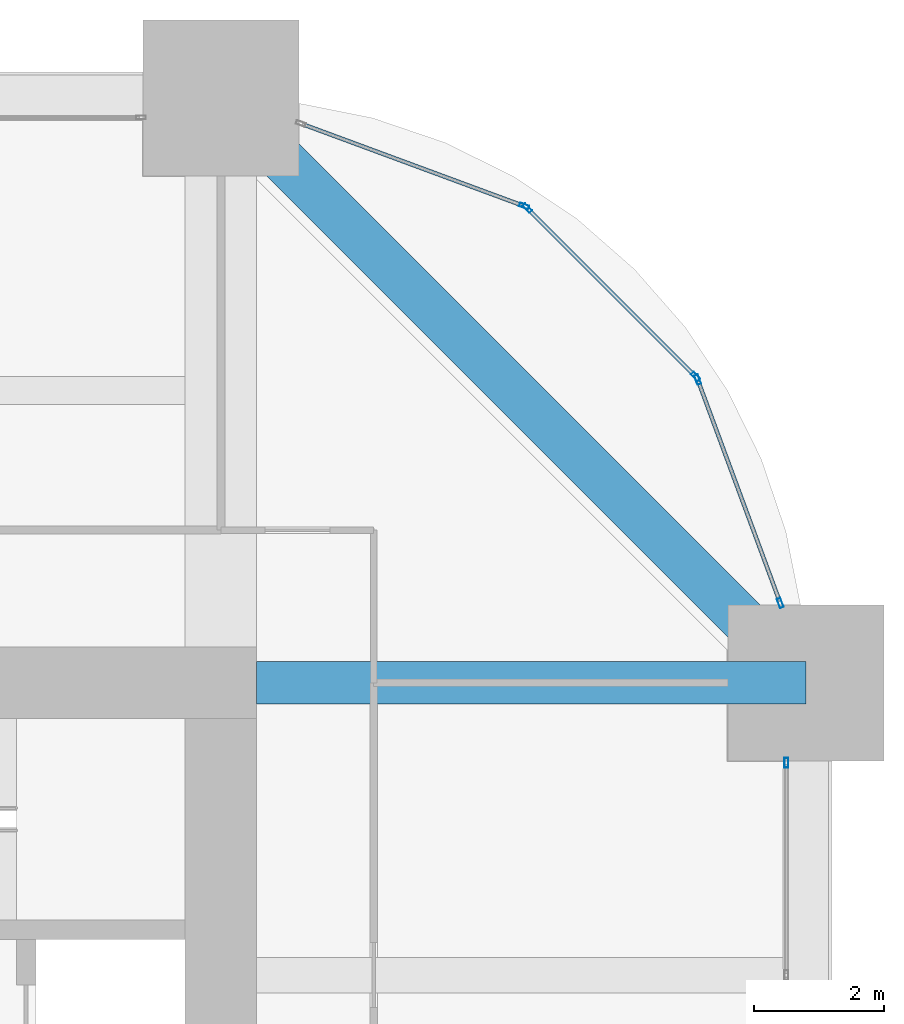
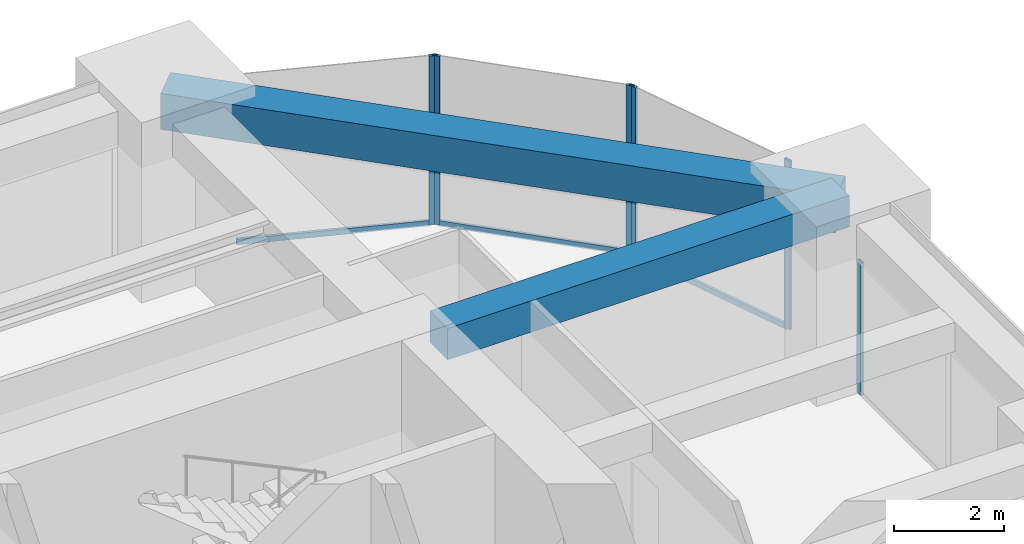
# One storey, part 27 of 32: 9 members, 2 beams, 4 elements without a shape of their own.
"""IFC4 building model written with IfcOpenShell, lengths in metres."""

import ifcopenshell
import ifcopenshell.guid

model = None  # the IFC model being written
_history = None  # IfcOwnerHistory: only IFC2X3 demands one
_inside = {}  # id of a spatial element -> (the spatial element, [elements in it])
_under = {}  # id of a project, library or spatial element -> (it, [spatial elements below it])
_declared = {}  # id of a project -> (the project, [libraries it declares])
_typed = {}  # id of a type object -> (the type object, [elements of that type])
_made_of = {}  # id of a material, layer set ... -> (it, [elements and type objects made of it])


def new_model(schema):
    """Start an empty IFC model of exactly this schema.

    Asked for "IFC4X3", IfcOpenShell would pick the latest addendum, in which some entities
    have other attributes; the version numbers below select the first issue.
    IFC2X3 requires an IfcOwnerHistory on every rooted entity: one is made here for all.
    """
    global model, _history
    if schema == "IFC4X3":
        model = ifcopenshell.file(schema_version=(4, 3, 0, 0))
    else:
        model = ifcopenshell.file(schema=schema)
    _inside.clear()
    _under.clear()
    _declared.clear()
    _typed.clear()
    _made_of.clear()
    _history = None
    if model.schema == "IFC2X3":
        org = make("IfcOrganization", Name="unknown")
        user = make(
            "IfcPersonAndOrganization",
            ThePerson=make("IfcPerson", FamilyName="unknown"),
            TheOrganization=org,
        )
        app = make(
            "IfcApplication",
            ApplicationDeveloper=org,
            Version="unknown",
            ApplicationFullName="unknown",
            ApplicationIdentifier="unknown",
        )
        _history = make(
            "IfcOwnerHistory",
            OwningUser=user,
            OwningApplication=app,
            ChangeAction="ADDED",
            CreationDate=0,
        )
    return model


def make(cls, **values):
    """One entity of the class cls with the attributes given. An attribute that is None is left unset."""
    return model.create_entity(
        cls, **{name: value for name, value in values.items() if value is not None}
    )


def rooted(cls, **values):
    """An entity with a GlobalId (a new one), such as an element, a storey or a relation."""
    return make(cls, GlobalId=ifcopenshell.guid.new(), OwnerHistory=_history, **values)


def si_unit(unit_type, name, prefix=None):
    """IfcSIUnit, for example si_unit("LENGTHUNIT", "METRE", prefix="MILLI")."""
    return make("IfcSIUnit", UnitType=unit_type, Prefix=prefix, Name=name)


def assignment(units):
    """IfcUnitAssignment: the units of a project."""
    return None if units is None else make("IfcUnitAssignment", Units=units)


def point(xyz):
    """IfcCartesianPoint."""
    return None if xyz is None else make("IfcCartesianPoint", Coordinates=xyz)


def direction(xyz):
    """IfcDirection."""
    return None if xyz is None else make("IfcDirection", DirectionRatios=xyz)


def frame(location, z_axis=None, x_axis=None):
    """IfcAxis2Placement3D, a coordinate frame: its origin and axes. An axis left out is left unset."""
    return make(
        "IfcAxis2Placement3D",
        Location=point(location),
        Axis=direction(z_axis),
        RefDirection=direction(x_axis),
    )


def frame_2d(location, x_axis=None):
    """IfcAxis2Placement2D, a coordinate frame in the plane: its origin and x axis."""
    return make(
        "IfcAxis2Placement2D", Location=point(location), RefDirection=direction(x_axis)
    )


def origin():
    """The frame at (0, 0, 0) with its axes left unset."""
    return frame((0.0, 0.0, 0.0))


def origin_2d():
    """The frame at (0, 0) in the plane with its x axis left unset."""
    return frame_2d((0.0, 0.0))


def place(relative_to, where):
    """IfcLocalPlacement: puts the frame where relative to a parent placement (None: the world)."""
    return make(
        "IfcLocalPlacement", PlacementRelTo=relative_to, RelativePlacement=where
    )


def context(
    kind, dimensions, precision=None, world=None, true_north=None, identifier=None
):
    """IfcGeometricRepresentationContext, for example the 3D "Model" context."""
    return make(
        "IfcGeometricRepresentationContext",
        ContextIdentifier=identifier,
        ContextType=kind,
        CoordinateSpaceDimension=dimensions,
        Precision=precision,
        WorldCoordinateSystem=world,
        TrueNorth=true_north,
    )


def subcontext(parent, identifier, kind, view, scale=None):
    """IfcGeometricRepresentationSubContext, for example "Body" below "Model"."""
    return make(
        "IfcGeometricRepresentationSubContext",
        ContextIdentifier=identifier,
        ContextType=kind,
        ParentContext=parent,
        TargetScale=scale,
        TargetView=view,
    )


def project(units=None, contexts=None):
    """IfcProject with its units and contexts."""
    return rooted(
        "IfcProject",
        Name="project",
        RepresentationContexts=contexts,
        UnitsInContext=assignment(units),
    )


def spatial(cls, under=None, at=None, **own):
    """A site, building, storey or space (cls), placed at a placement, below another one or the project."""
    s = rooted(cls, ObjectPlacement=at, **own)
    if under is not None:
        _under.setdefault(under.id(), (under, []))[1].append(s)
    return s


def profile(cls, at=None, kind="AREA", **sizes):
    """A parametric profile (cls). Its sizes go by their IFC names, for example OverallWidth=200.0."""
    return make(cls, ProfileType=kind, Position=at, **sizes)


def rectangle(**sizes):
    """IfcRectangleProfileDef."""
    return profile("IfcRectangleProfileDef", **sizes)


def hollow_rectangle(**sizes):
    """IfcRectangleHollowProfileDef."""
    return profile("IfcRectangleHollowProfileDef", **sizes)


def extrude(swept, where, along, depth):
    """IfcExtrudedAreaSolid: the profile swept, set in the frame where, extruded along a direction by depth."""
    return make(
        "IfcExtrudedAreaSolid",
        SweptArea=swept,
        Position=where,
        ExtrudedDirection=direction(along),
        Depth=depth,
    )


def shape(context_of_items, identifier, shape_type, items):
    """IfcShapeRepresentation: the items that make up one representation, for example the "Body"."""
    return make(
        "IfcShapeRepresentation",
        ContextOfItems=context_of_items,
        RepresentationIdentifier=identifier,
        RepresentationType=shape_type,
        Items=items,
    )


def material(Name=None, Category=None):
    """IfcMaterial."""
    return make("IfcMaterial", Name=Name, Category=Category)


def material_profile(
    of_material, cross_section, Name=None, Category=None, Priority=None
):
    """IfcMaterialProfile: a cross section and its material."""
    return make(
        "IfcMaterialProfile",
        Name=Name,
        Material=of_material,
        Profile=cross_section,
        Priority=Priority,
        Category=Category,
    )


def profile_set(profiles, Name=None, composite=None):
    """IfcMaterialProfileSet."""
    return make(
        "IfcMaterialProfileSet",
        Name=Name,
        MaterialProfiles=profiles,
        CompositeProfile=composite,
    )


def made_of(thing, what):
    """Note that an element or type object is made of a material, layer set ...; save() writes the relation."""
    if what is not None:
        _made_of.setdefault(what.id(), (what, []))[1].append(thing)
    return thing


def type_object(cls, material=None, **own):
    """A type object (cls), such as IfcWallType, which elements share."""
    return made_of(rooted(cls, **own), material)


def element(
    cls,
    number,
    at=None,
    inside=None,
    cuts=None,
    type_object=None,
    material=None,
    context=None,
    identifier="Body",
    shape_type=None,
    held_by="IfcProductDefinitionShape",
    body=None,
    shapes=None,
    **own,
):
    """One element of the class cls, such as IfcWall. Its Tag is "e" and its number.

    at: its placement. inside: the storey or other place that contains it. cuts: it is an
    opening in that element (IfcRelVoidsElement). A single representation is given by context,
    identifier, shape_type and body (its items); several are given by shapes. held_by: the class
    of the entity that holds the representations. save() writes the other relations.
    """
    e = rooted(cls, Tag="e%d" % number, ObjectPlacement=at, **own)
    if body is not None:
        shapes = [shape(context, identifier, shape_type, body)]
    if shapes is not None:
        e.Representation = make(held_by, Representations=shapes)
    if inside is not None:
        _inside.setdefault(inside.id(), (inside, []))[1].append(e)
    if cuts is not None:
        rooted(
            "IfcRelVoidsElement", RelatingBuildingElement=cuts, RelatedOpeningElement=e
        )
    if type_object is not None:
        _typed.setdefault(type_object.id(), (type_object, []))[1].append(e)
    return made_of(e, material)


def aggregate(whole, parts):
    """IfcRelAggregates: a whole, such as a stair, and the parts it consists of."""
    return rooted("IfcRelAggregates", RelatingObject=whole, RelatedObjects=parts)


def save(model, path):
    """Write the relations noted so far, then the file.

    IfcRelAggregates (storeys below a building ...), IfcRelContainedInSpatialStructure (elements
    in a storey), IfcRelDefinesByType, IfcRelAssociatesMaterial and IfcRelDeclares: one each for
    every whole, place, type object, material and project.
    """
    for whole, parts in _under.values():
        aggregate(whole, parts)
    for where, things in _inside.values():
        rooted(
            "IfcRelContainedInSpatialStructure",
            RelatedElements=things,
            RelatingStructure=where,
        )
    for kind, things in _typed.values():
        rooted("IfcRelDefinesByType", RelatedObjects=things, RelatingType=kind)
    for what, things in _made_of.values():
        rooted("IfcRelAssociatesMaterial", RelatedObjects=things, RelatingMaterial=what)
    for by, libraries in _declared.values():
        rooted("IfcRelDeclares", RelatingContext=by, RelatedDefinitions=libraries)
    model.write(path)


model = new_model("IFC4")

# Units and contexts
model_context = context("Model", 3, precision=1e-05, world=origin(), true_north=direction((0.0, 1.0)))
body_context = subcontext(model_context, "Body", "Model", "MODEL_VIEW")
ifc_project = project(units=[si_unit("LENGTHUNIT", "METRE"), si_unit("AREAUNIT", "SQUARE_METRE"), si_unit("VOLUMEUNIT", "CUBIC_METRE"), si_unit("PLANEANGLEUNIT", "RADIAN"), si_unit("MASSUNIT", "GRAM", prefix="KILO")], contexts=[model_context])

# Site, building, storey
site_placement = place(None, origin())
site = spatial("IfcSite", under=ifc_project, at=site_placement, CompositionType="ELEMENT")
building_placement = place(site_placement, origin())
building = spatial("IfcBuilding", under=site, at=building_placement, Name="Zorevar Civic Tower", CompositionType="ELEMENT")
storey_placement = place(building_placement, frame((0.0, 0.0, 190.199951171875)))
storey = spatial("IfcBuildingStorey", under=building, at=storey_placement, Name="L46", CompositionType="ELEMENT", Elevation=190.199951171875)

# Beam
ifc_material_1 = material(Name="Concrete C50/60", Category="concrete")
ifc_material_profile_1 = material_profile(ifc_material_1, rectangle(XDim=0.64990234375, YDim=0.699951171875, at=origin_2d()), Name="RC 650x700")
ifc_profile_set_1 = profile_set([ifc_material_profile_1], Name="Concrete C50/60")
beam_type_1 = type_object("IfcBeamType", Name="Beam RC 650x700", PredefinedType="BEAM", material=ifc_profile_set_1)
beam_1_placement = place(storey_placement, frame((45.550048828125, 36.0, 3.400146484375), z_axis=(1.0, 0.0, 0.0), x_axis=(0.0, 1.0, 0.0)))
element("IfcBeam", 1, at=beam_1_placement, inside=storey, type_object=beam_type_1, Name="Girder L47", PredefinedType="BEAM", context=body_context, shape_type="SweptSolid", body=[
    extrude(rectangle(XDim=0.64990234375, YDim=0.699951171875, at=origin_2d()), origin(), (0.0, 0.0, 1.0), 8.449951171875),
])

# Curtain wall, member
ifc_material_2 = material(Name="Dark grey solar-control glass in black aluminium frame", Category="aluminium")
curtain_wall_type = type_object("IfcCurtainWallType", Name="Curtain wall CW4 high zone", PredefinedType="NOTDEFINED", material=ifc_material_2)
curtain_wall_1_placement = place(storey_placement, origin())
curtain_wall_1 = element("IfcCurtainWall", 2, at=curtain_wall_1_placement, inside=storey, type_object=curtain_wall_type, Name="CW4 L46", PredefinedType="NOTDEFINED")
ifc_material_3 = material(Name="Aluminium, black anodised", Category="aluminium")
ifc_material_profile_2 = material_profile(ifc_material_3, hollow_rectangle(XDim=0.06005859375, YDim=0.14990234375, WallThickness=0.00390625, at=origin_2d()), Name="AL 150x60x4")
ifc_profile_set_2 = profile_set([ifc_material_profile_2], Name="Aluminium, black anodised")
member_type_1 = type_object("IfcMemberType", Name="CW4 mullion AL 150x60x4", PredefinedType="MULLION", material=ifc_profile_set_2)
member_1_placement = place(storey_placement, frame((53.699951171875, 34.77001953125, 0.0), z_axis=(0.0, 0.0, 1.0), x_axis=(-1.0, 0.0, 0.0)))
member_1 = element("IfcMember", 3, at=member_1_placement, type_object=member_type_1, Name="CW4 mullion 3", PredefinedType="MULLION", context=body_context, shape_type="SweptSolid", body=[
    extrude(hollow_rectangle(XDim=0.06005859375, YDim=0.14990234375, WallThickness=0.00390625, at=origin_2d()), origin(), (0.0, 0.0, 1.0), 2.949951171875),
])
aggregate(curtain_wall_1, [member_1])

# Curtain wall, members
curtain_wall_2_placement = place(storey_placement, origin())
curtain_wall_2 = element("IfcCurtainWall", 4, at=curtain_wall_2_placement, inside=storey, type_object=curtain_wall_type, Name="CW4 L46", PredefinedType="NOTDEFINED")
member_2_placement = place(storey_placement, frame((53.6064453125, 37.22802734375, 0.0), z_axis=(0.0, 0.0, 1.0), x_axis=(-0.937974588163, -0.346704012033, 0.0)))
member_2 = element("IfcMember", 5, at=member_2_placement, type_object=member_type_1, Name="CW4 mullion 1", PredefinedType="MULLION", context=body_context, shape_type="SweptSolid", body=[
    extrude(hollow_rectangle(XDim=0.06005859375, YDim=0.14990234375, WallThickness=0.00390625, at=origin_2d()), origin(), (0.0, 0.0, 1.0), 3.75),
])
member_3_placement = place(storey_placement, frame((52.336181640625, 40.66455078125, 0.0), z_axis=(0.0, 0.0, 1.0), x_axis=(-0.937974588163, -0.346704012033, 0.0)))
member_3 = element("IfcMember", 6, at=member_3_placement, type_object=member_type_1, Name="CW4 mullion 2", PredefinedType="MULLION", context=body_context, shape_type="SweptSolid", body=[
    extrude(hollow_rectangle(XDim=0.06005859375, YDim=0.14990234375, WallThickness=0.00390625, at=origin_2d()), origin(), (0.0, 0.0, 1.0), 3.75),
])

curtain_wall_3_placement = place(storey_placement, origin())
curtain_wall_3 = element("IfcCurtainWall", 7, at=curtain_wall_3_placement, inside=storey, type_object=curtain_wall_type, Name="CW4 L46", PredefinedType="NOTDEFINED")
member_4_placement = place(storey_placement, frame((52.3046875, 40.7138671875, 0.0), z_axis=(0.0, 0.0, 1.0), x_axis=(-0.707106781187, -0.707106781187, 0.0)))
member_4 = element("IfcMember", 8, at=member_4_placement, type_object=member_type_1, Name="CW4 mullion 1", PredefinedType="MULLION", context=body_context, shape_type="SweptSolid", body=[
    extrude(hollow_rectangle(XDim=0.06005859375, YDim=0.14990234375, WallThickness=0.00390625, at=origin_2d()), origin(), (0.0, 0.0, 1.0), 3.75),
])
member_5_placement = place(storey_placement, frame((49.7138671875, 43.3046875, 0.0), z_axis=(0.0, 0.0, 1.0), x_axis=(-0.707106781187, -0.707106781187, 0.0)))
member_5 = element("IfcMember", 9, at=member_5_placement, type_object=member_type_1, Name="CW4 mullion 2", PredefinedType="MULLION", context=body_context, shape_type="SweptSolid", body=[
    extrude(hollow_rectangle(XDim=0.06005859375, YDim=0.14990234375, WallThickness=0.00390625, at=origin_2d()), origin(), (0.0, 0.0, 1.0), 3.75),
])

# Curtain wall, member
curtain_wall_4_placement = place(storey_placement, origin())
curtain_wall_4 = element("IfcCurtainWall", 10, at=curtain_wall_4_placement, inside=storey, type_object=curtain_wall_type, Name="CW4 L46", PredefinedType="NOTDEFINED")
member_6_placement = place(storey_placement, frame((49.66455078125, 43.336181640625, 0.0), z_axis=(0.0, 0.0, 1.0), x_axis=(-0.346704012033, -0.937974588163, 0.0)))
member_6 = element("IfcMember", 11, at=member_6_placement, type_object=member_type_1, Name="CW4 mullion 1", PredefinedType="MULLION", context=body_context, shape_type="SweptSolid", body=[
    extrude(hollow_rectangle(XDim=0.06005859375, YDim=0.14990234375, WallThickness=0.00390625, at=origin_2d()), origin(), (0.0, 0.0, 1.0), 3.75),
])

# Member
ifc_material_4 = material(Name="Aluminium, black anodised", Category="aluminium")
ifc_material_profile_3 = material_profile(ifc_material_4, hollow_rectangle(XDim=0.06005859375, YDim=0.1201171875, WallThickness=0.0029296875, at=origin_2d()), Name="AL 120x60x3")
ifc_profile_set_3 = profile_set([ifc_material_profile_3], Name="Aluminium, black anodised")
member_type_2 = type_object("IfcMemberType", Name="CW4 transom AL 120x60x3", PredefinedType="USERDEFINED", material=ifc_profile_set_3)
member_7_placement = place(storey_placement, frame((53.595947265625, 37.25634765625, 0.030029296875), z_axis=(-0.346672169799, 0.93798635741, 0.0), x_axis=(-0.93798635741, -0.346672169799, 0.0)))
member_7 = element("IfcMember", 12, at=member_7_placement, type_object=member_type_2, Name="CW4 sill transom", ObjectType="TRANSOM", PredefinedType="USERDEFINED", context=body_context, shape_type="SweptSolid", body=[
    extrude(hollow_rectangle(XDim=0.06005859375, YDim=0.1201171875, WallThickness=0.0029296875, at=origin_2d()), origin(), (0.0, 0.0, 1.0), 3.603515625),
])

aggregate(curtain_wall_2, [member_2, member_3, member_7])

member_8_placement = place(storey_placement, frame((52.283447265625, 40.735107421875, 0.030029296875), z_axis=(-0.707106781187, 0.707106781187, 0.0), x_axis=(-0.707106781187, -0.707106781187, 0.0)))
member_8 = element("IfcMember", 13, at=member_8_placement, type_object=member_type_2, Name="CW4 sill transom", ObjectType="TRANSOM", PredefinedType="USERDEFINED", context=body_context, shape_type="SweptSolid", body=[
    extrude(hollow_rectangle(XDim=0.06005859375, YDim=0.1201171875, WallThickness=0.0029296875, at=origin_2d()), origin(), (0.0, 0.0, 1.0), 3.60400390625),
])

aggregate(curtain_wall_3, [member_4, member_5, member_8])

member_9_placement = place(storey_placement, frame((49.636474609375, 43.3466796875, 0.030029296875), z_axis=(-0.93798635741, 0.346672169799, 0.0), x_axis=(-0.346672169799, -0.93798635741, 0.0)))
member_9 = element("IfcMember", 14, at=member_9_placement, type_object=member_type_2, Name="CW4 sill transom", ObjectType="TRANSOM", PredefinedType="USERDEFINED", context=body_context, shape_type="SweptSolid", body=[
    extrude(hollow_rectangle(XDim=0.06005859375, YDim=0.1201171875, WallThickness=0.0029296875, at=origin_2d()), origin(), (0.0, 0.0, 1.0), 3.603515625),
])

aggregate(curtain_wall_4, [member_6, member_9])

# Beam
ifc_material_5 = material(Name="Concrete C50/60", Category="concrete")
ifc_material_profile_4 = material_profile(ifc_material_5, rectangle(XDim=0.699951171875, YDim=0.800048828125, at=origin_2d()), Name="RC 700x800")
ifc_profile_set_4 = profile_set([ifc_material_profile_4], Name="Concrete C50/60")
beam_type_2 = type_object("IfcBeamType", Name="Edge beam RC 700x800", PredefinedType="SPANDREL", material=ifc_profile_set_4)
beam_2_placement = place(storey_placement, frame((54.0, 36.0, 3.35009765625), z_axis=(-0.707106781187, 0.707106781187, 0.0), x_axis=(-0.707106781187, -0.707106781187, 0.0)))
element("IfcBeam", 15, at=beam_2_placement, inside=storey, type_object=beam_type_2, Name="Corner edge beam L47", PredefinedType="SPANDREL", context=body_context, shape_type="SweptSolid", body=[
    extrude(rectangle(XDim=0.699951171875, YDim=0.800048828125, at=origin_2d()), origin(), (0.0, 0.0, 1.0), 12.72802734375),
])

save(model, "model.ifc")
